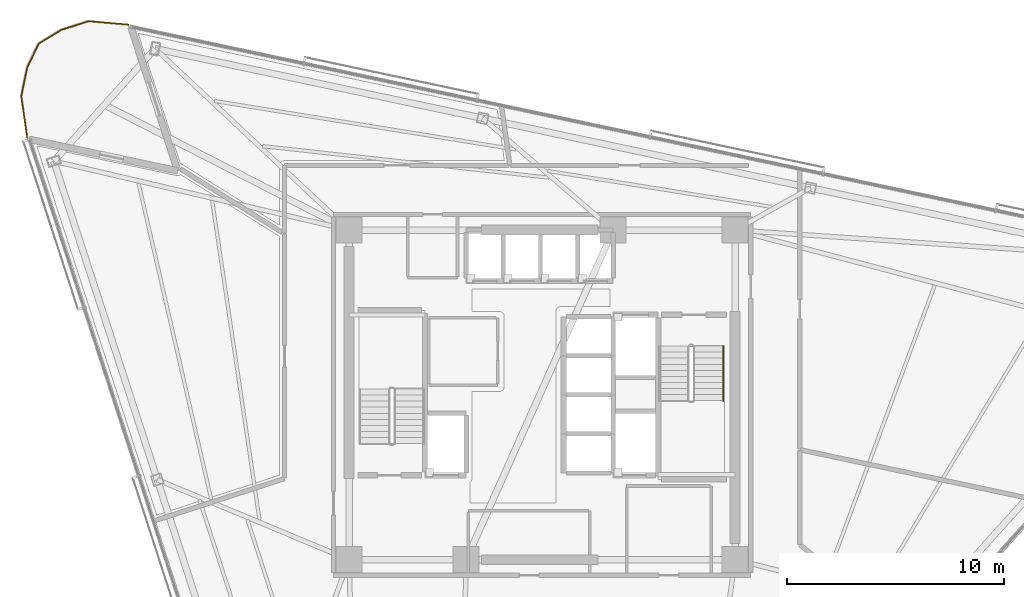
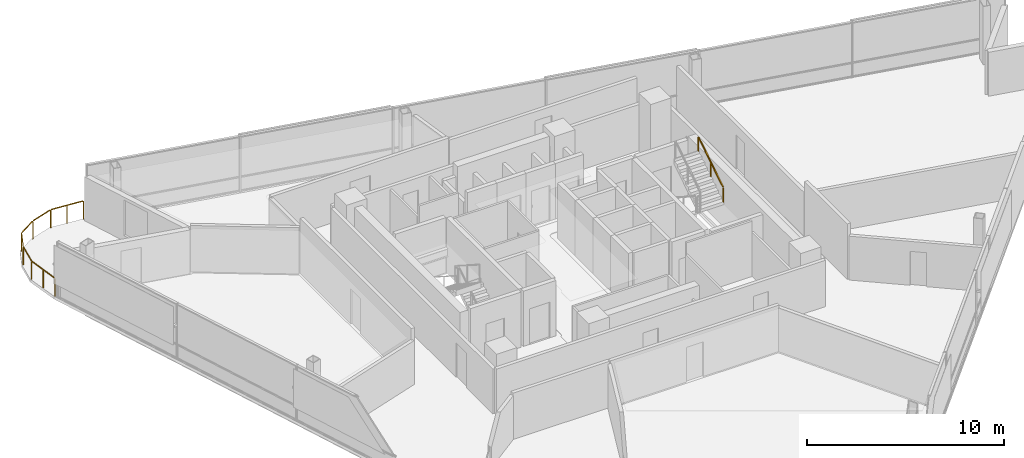
# One storey, part 17 of 17: 2 railings.
"""IFC4 building model written with IfcOpenShell, lengths in metres."""

from ifc_helpers import new_model, si_unit, direction, frame, origin, origin_2d, place, context, subcontext, project, spatial, rectangle, extrude, material, type_object, element, save


model = new_model("IFC4")

# Units and contexts
model_context = context("Model", 3, precision=1e-05, world=origin(), true_north=direction((0.0, 1.0)))
body_context = subcontext(model_context, "Body", "Model", "MODEL_VIEW")
ifc_project = project(units=[si_unit("LENGTHUNIT", "METRE"), si_unit("AREAUNIT", "SQUARE_METRE"), si_unit("VOLUMEUNIT", "CUBIC_METRE"), si_unit("PLANEANGLEUNIT", "RADIAN"), si_unit("MASSUNIT", "GRAM", prefix="KILO")], contexts=[model_context])

# Site, building, storey
site_placement = place(None, origin())
site = spatial("IfcSite", under=ifc_project, at=site_placement, CompositionType="ELEMENT")
building_placement = place(site_placement, origin())
building = spatial("IfcBuilding", under=site, at=building_placement, Name="Tharavind Bronze Gate", CompositionType="ELEMENT")
storey_placement = place(building_placement, frame((0.0, 0.0, 200.449951171875)))
storey = spatial("IfcBuildingStorey", under=building, at=storey_placement, Name="L51", CompositionType="ELEMENT", Elevation=200.449951171875)

# Railings
ifc_material_1 = material(Name="Brushed Bronze Alloy", Category="metal")
railing_type_1 = type_object("IfcRailingType", Name="STAIR BRONZE HANDRAIL 900", PredefinedType="HANDRAIL", material=ifc_material_1)
railing_1_placement = place(storey_placement, frame((8.35009765625, -0.27001953125, 1.97998046875)))
element("IfcRailing", 1, at=railing_1_placement, inside=storey, type_object=railing_type_1, Name="L51 ST2 stair handrail 2", PredefinedType="HANDRAIL", context=body_context, shape_type="SweptSolid", body=[
    extrude(rectangle(XDim=0.048095703125, YDim=0.048095703125, at=origin_2d()), frame((0.0, 0.02685546875, 0.89306640625), z_axis=(0.0, 0.841162588446, 0.540782303519), x_axis=(-1.0, 0.0, 0.0)), (0.0, 0.0, 1.0), 2.931884765625),
    extrude(rectangle(XDim=0.0400390625, YDim=0.0400390625, at=origin_2d()), origin(), (0.0, 0.0, 1.0), 0.847900390625),
    extrude(rectangle(XDim=0.0400390625, YDim=0.0400390625, at=origin_2d()), frame((0.0, 1.260009765625, 0.81005859375)), (0.0, 0.0, 1.0), 0.847900390625),
    extrude(rectangle(XDim=0.0400390625, YDim=0.0400390625, at=origin_2d()), frame((0.0, 2.52001953125, 1.6201171875)), (0.0, 0.0, 1.0), 0.847900390625),
])
ifc_material_2 = material(Name="Bronze Cap & Laminated Glass", Category="glass")
railing_type_2 = type_object("IfcRailingType", Name="TERRACE GLASS GUARD RAILING 1150", PredefinedType="GUARDRAIL", material=ifc_material_2)
railing_2_placement = place(storey_placement, frame((-23.7490234375, 11.887451171875, 0.0)))
element("IfcRailing", 2, at=railing_2_placement, inside=storey, type_object=railing_type_2, Name="L51 tree balcony guard railing", PredefinedType="GUARDRAIL", context=body_context, shape_type="SweptSolid", body=[
    extrude(rectangle(XDim=0.048095703125, YDim=0.048095703125, at=origin_2d()), frame((-0.00439453125, 0.03173828125, 1.1259765625), z_axis=(-0.1396808932, 0.990196570422, 0.0), x_axis=(-0.990196570422, -0.1396808932, 0.0)), (0.0, 0.0, 1.0), 1.841064453125),
    extrude(rectangle(XDim=0.048095703125, YDim=0.048095703125, at=origin_2d()), frame((-0.259765625, 1.917724609375, 1.1259765625), z_axis=(0.201091111257, 0.979572541966, 0.0), x_axis=(-0.979572541966, 0.201091111257, 0.0)), (0.0, 0.0, 1.0), 1.284912109375),
    extrude(rectangle(XDim=0.048095703125, YDim=0.048095703125, at=origin_2d()), frame((0.01904296875, 3.236572265625, 1.1259765625), z_axis=(0.435566196468, 0.900156702188, 0.0), x_axis=(-0.900156702188, 0.435566196468, 0.0)), (0.0, 0.0, 1.0), 1.147216796875),
    extrude(rectangle(XDim=0.048095703125, YDim=0.048095703125, at=origin_2d()), frame((0.559814453125, 4.31494140625, 1.1259765625), z_axis=(0.849714893769, 0.527242448316, 0.0), x_axis=(-0.527242448316, 0.849714893769, 0.0)), (0.0, 0.0, 1.0), 1.1474609375),
    extrude(rectangle(XDim=0.048095703125, YDim=0.048095703125, at=origin_2d()), frame((1.592529296875, 4.946533203125, 1.1259765625), z_axis=(0.953163202503, 0.302456458675, 0.0), x_axis=(-0.302456458675, 0.953163202503, 0.0)), (0.0, 0.0, 1.0), 1.284912109375),
    extrude(rectangle(XDim=0.048095703125, YDim=0.048095703125, at=origin_2d()), frame((2.879638671875, 5.342041015625, 1.1259765625), z_axis=(0.996289002034, -0.086071042903, 0.0), x_axis=(0.086071042903, 0.996289002034, 0.0)), (0.0, 0.0, 1.0), 1.765625),
    extrude(rectangle(XDim=0.0400390625, YDim=0.0400390625, at=origin_2d()), origin(), (0.0, 0.0, 1.0), 1.097900390625),
    extrude(rectangle(XDim=0.0400390625, YDim=0.0400390625, at=origin_2d()), frame((-0.133056640625, 0.943359375, 0.0)), (0.0, 0.0, 1.0), 1.097900390625),
    extrude(rectangle(XDim=0.0400390625, YDim=0.0400390625, at=origin_2d()), frame((-0.26611328125, 1.886474609375, 0.0)), (0.0, 0.0, 1.0), 1.097900390625),
    extrude(rectangle(XDim=0.0400390625, YDim=0.0400390625, at=origin_2d()), frame((0.005126953125, 3.207763671875, 0.0)), (0.0, 0.0, 1.0), 1.097900390625),
    extrude(rectangle(XDim=0.0400390625, YDim=0.0400390625, at=origin_2d()), frame((0.53271484375, 4.298095703125, 0.0)), (0.0, 0.0, 1.0), 1.097900390625),
    extrude(rectangle(XDim=0.0400390625, YDim=0.0400390625, at=origin_2d()), frame((1.56201171875, 4.936767578125, 0.0)), (0.0, 0.0, 1.0), 1.097900390625),
    extrude(rectangle(XDim=0.0400390625, YDim=0.0400390625, at=origin_2d()), frame((2.84765625, 5.3447265625, 0.0)), (0.0, 0.0, 1.0), 1.097900390625),
    extrude(rectangle(XDim=0.0400390625, YDim=0.0400390625, at=origin_2d()), frame((3.759033203125, 5.26611328125, 0.0)), (0.0, 0.0, 1.0), 1.097900390625),
    extrude(rectangle(XDim=0.0400390625, YDim=0.0400390625, at=origin_2d()), frame((4.67041015625, 5.187255859375, 0.0)), (0.0, 0.0, 1.0), 1.097900390625),
])

save(model, "model.ifc")
